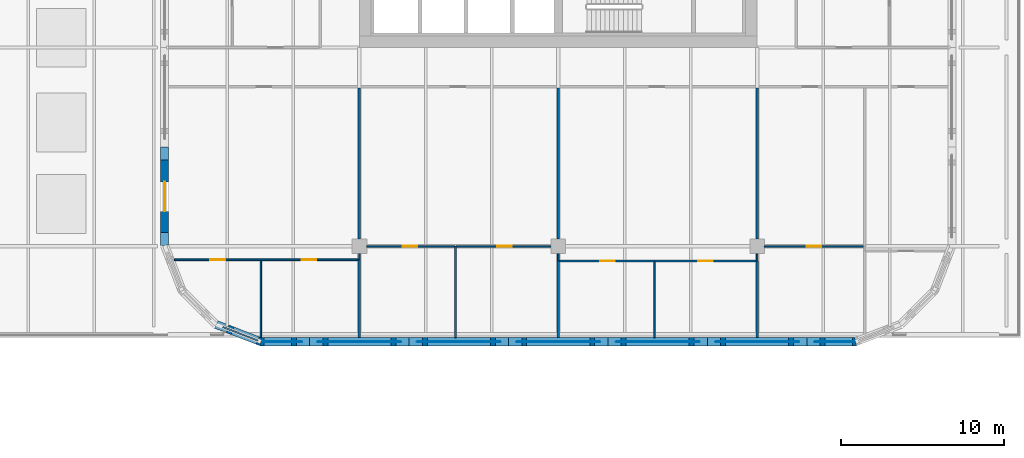
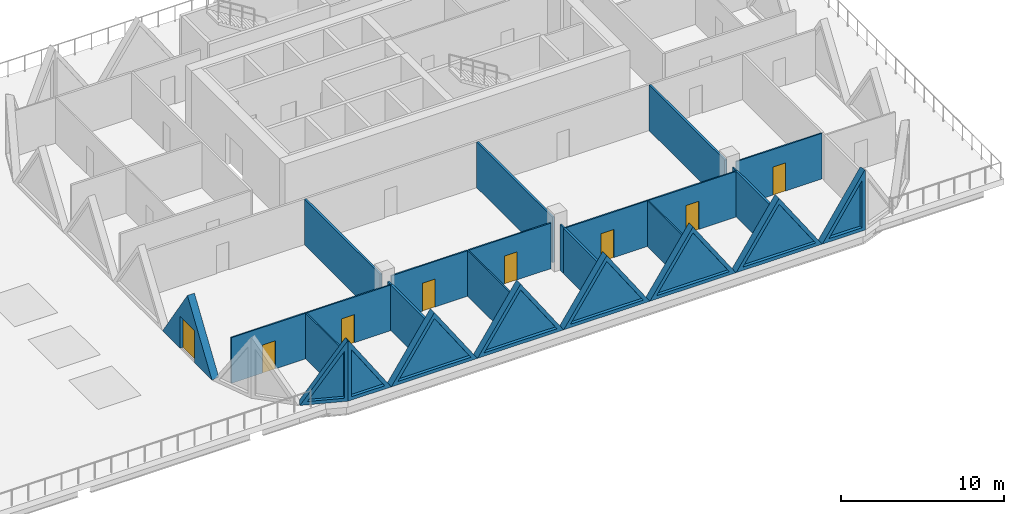
# One storey, part 13 of 21: 26 walls, 8 doors, 8 plates, 16 openings.
"""IFC4 building model written with IfcOpenShell, lengths in metres."""

from ifc_helpers import new_model, si_unit, direction, frame, frame_2d, origin, place, context, subcontext, project, spatial, polyline, rectangle, outline, extrude, faceted_brep, source, transform, mapped, material, layer, layer_set, type_object, element, fill, save


model = new_model("IFC4")

# Units and contexts
model_context = context("Model", 3, precision=1e-05, world=origin(), true_north=direction((0.0, 1.0)))
body_context = subcontext(model_context, "Body", "Model", "MODEL_VIEW")
ifc_project = project(units=[si_unit("LENGTHUNIT", "METRE"), si_unit("AREAUNIT", "SQUARE_METRE"), si_unit("VOLUMEUNIT", "CUBIC_METRE"), si_unit("PLANEANGLEUNIT", "RADIAN"), si_unit("MASSUNIT", "GRAM", prefix="KILO")], contexts=[model_context])

# Site, building, storey
site_placement = place(None, origin())
site = spatial("IfcSite", under=ifc_project, at=site_placement, CompositionType="ELEMENT")
building_placement = place(site_placement, origin())
building = spatial("IfcBuilding", under=site, at=building_placement, Name="Tessera Gate Towers", CompositionType="ELEMENT")
storey_placement = place(building_placement, frame((0.0, 0.0, 16.800048828125)))
storey = spatial("IfcBuildingStorey", under=building, at=storey_placement, Name="L03", CompositionType="ELEMENT", Elevation=16.800048828125)

# Walls
ifc_material_1 = material(Name="Glass", Category="glass")
ifc_layer_1 = layer(ifc_material_1, 0.10009765625)
ifc_layer_set_1 = layer_set([ifc_layer_1], Name="GLAZED PARTITION 100")
wall_type_1 = type_object("IfcWallType", Name="GLAZED PARTITION 100", PredefinedType="PARTITIONING", material=ifc_layer_set_1)
for number, where, z_axis, x_axis, name in (
    (1, (109.800048828125, 23.5009765625, 0.0), (0.0, 0.0, 1.0), (0.0, 1.0, 0.0), "T2-L03-PW-008"),
    (2, (122.0, 23.5009765625, 0.0), (0.0, 0.0, 1.0), (0.0, 1.0, 0.0), "T2-L03-PW-010"),
):
    element("IfcWall", number, at=place(storey_placement, frame(where, z_axis=z_axis, x_axis=x_axis)), inside=storey, type_object=wall_type_1, Name=name, PredefinedType="PARTITIONING", context=body_context, shape_type="SweptSolid", body=[
        extrude(rectangle(XDim=0.447998046875, YDim=0.10009765625, at=frame_2d((0.22412109375, 0.0))), origin(), (0.0, 0.0, 1.0), 3.4150390625),
    ])
wall_1_placement = place(storey_placement, frame((97.60009765625, 23.575927734375, 0.0), z_axis=(0.0, 0.0, 1.0), x_axis=(0.0, 1.0, 0.0)))
element("IfcWall", 3, at=wall_1_placement, inside=storey, type_object=wall_type_1, Name="T2-L03-PW-012", PredefinedType="PARTITIONING", context=body_context, shape_type="SweptSolid", body=[
    extrude(rectangle(XDim=0.373046875, YDim=0.10009765625, at=frame_2d((0.1865234375, 0.0))), origin(), (0.0, 0.0, 1.0), 3.4150390625),
])

# Wall, opening, door
wall_2_placement = place(storey_placement, frame((103.442626953125, 24.39990234375, 0.0), z_axis=(0.0, 0.0, 1.0), x_axis=(-1.0, 0.0, 0.0)))
wall_2 = element("IfcWall", 4, at=wall_2_placement, inside=storey, type_object=wall_type_1, Name="T2-L03-PW-015", PredefinedType="PARTITIONING", context=body_context, shape_type="SweptSolid", body=[
    extrude(rectangle(XDim=5.3916015625, YDim=0.10009765625, at=frame_2d((2.69580078125, 0.0))), origin(), (0.0, 0.0, 1.0), 3.4150390625),
])
shared_shape_1 = source(origin(), body_context, "Body", "SweptSolid", [
    extrude(rectangle(XDim=0.89990234375, YDim=2.10009765625, at=frame_2d((0.449951171875, 1.050048828125))), frame((0.0, 0.06005859375, 0.0), z_axis=(0.0, -1.0, 0.0), x_axis=(1.0, 0.0, 0.0)), (0.0, 0.0, 1.0), 0.1201171875),
])
opening_1_placement = place(wall_2_placement, frame((2.291748046875, 0.0, 0.0)))
opening_1 = element("IfcOpeningElement", 5, at=opening_1_placement, cuts=wall_2, Name="Opening D690-B01-02", PredefinedType="OPENING", context=body_context, shape_type="MappedRepresentation", body=[
    mapped(shared_shape_1, transform((0.0, 0.0, 0.0), scale=1.0)),
])
ifc_material_2 = material(Name="Glass in aluminium frame", Category="aluminium")
door_type_1 = type_object("IfcDoorType", Name="GLAZED DOOR 900 NOT RATED", OperationType="NOTDEFINED", PredefinedType="DOOR", material=ifc_material_2)
shared_shape_2 = source(origin(), body_context, "Body", "SweptSolid", [
    extrude(rectangle(XDim=0.89990234375, YDim=2.10009765625, at=frame_2d((0.449951171875, 1.050048828125))), frame((0.0, 0.02490234375, 0.0), z_axis=(0.0, -1.0, 0.0), x_axis=(1.0, 0.0, 0.0)), (0.0, 0.0, 1.0), 0.050048828125),
])
door_1_placement = place(opening_1_placement, origin())
door_1 = element("IfcDoor", 6, at=door_1_placement, inside=storey, type_object=door_type_1, Name="T2-L03-PD-006", OperationType="SINGLE_SWING_RIGHT", OverallHeight=2.10009765625, OverallWidth=0.89990234375, PredefinedType="DOOR", context=body_context, shape_type="MappedRepresentation", body=[
    mapped(shared_shape_2, transform((0.0, 0.0, 0.0), scale=1.0)),
])
fill(opening_1, door_1)

wall_3_placement = place(storey_placement, frame((109.34912109375, 24.39990234375, 0.0), z_axis=(0.0, 0.0, 1.0), x_axis=(-1.0, 0.0, 0.0)))
wall_3 = element("IfcWall", 7, at=wall_3_placement, inside=storey, type_object=wall_type_1, Name="T2-L03-PW-016", PredefinedType="PARTITIONING", context=body_context, shape_type="SweptSolid", body=[
    extrude(rectangle(XDim=5.804443359375, YDim=0.10009765625, at=frame_2d((2.90234375, 0.0))), origin(), (0.0, 0.0, 1.0), 3.4150390625),
])
opening_2_placement = place(wall_3_placement, frame((2.404296875, 0.0, 0.0)))
opening_2 = element("IfcOpeningElement", 8, at=opening_2_placement, cuts=wall_3, Name="Opening D690-B01-03", PredefinedType="OPENING", context=body_context, shape_type="MappedRepresentation", body=[
    mapped(shared_shape_1, transform((0.0, 0.0, 0.0), scale=1.0)),
])
door_2_placement = place(opening_2_placement, origin())
door_2 = element("IfcDoor", 9, at=door_2_placement, inside=storey, type_object=door_type_1, Name="T2-L03-PD-007", OperationType="SINGLE_SWING_RIGHT", OverallHeight=2.10009765625, OverallWidth=0.89990234375, PredefinedType="DOOR", context=body_context, shape_type="MappedRepresentation", body=[
    mapped(shared_shape_2, transform((0.0, 0.0, 0.0), scale=1.0)),
])
fill(opening_2, door_2)

wall_4_placement = place(storey_placement, frame((128.52392578125, 24.39990234375, 0.0), z_axis=(0.0, 0.0, 1.0), x_axis=(-1.0, 0.0, 0.0)))
wall_4 = element("IfcWall", 10, at=wall_4_placement, inside=storey, type_object=wall_type_1, Name="T2-L03-PW-017", PredefinedType="PARTITIONING", context=body_context, shape_type="SweptSolid", body=[
    extrude(rectangle(XDim=6.072998046875, YDim=0.10009765625, at=frame_2d((3.03662109375, 0.0))), origin(), (0.0, 0.0, 1.0), 3.4150390625),
])
opening_3_placement = place(wall_4_placement, frame((2.572998046875, 0.0, 0.0)))
opening_3 = element("IfcOpeningElement", 11, at=opening_3_placement, cuts=wall_4, Name="Opening D690-B01-06", PredefinedType="OPENING", context=body_context, shape_type="MappedRepresentation", body=[
    mapped(shared_shape_1, transform((0.0, 0.0, 0.0), scale=1.0)),
])
door_3_placement = place(opening_3_placement, origin())
door_3 = element("IfcDoor", 12, at=door_3_placement, inside=storey, type_object=door_type_1, Name="T2-L03-PD-012", OperationType="SINGLE_SWING_RIGHT", OverallHeight=2.10009765625, OverallWidth=0.89990234375, PredefinedType="DOOR", context=body_context, shape_type="MappedRepresentation", body=[
    mapped(shared_shape_2, transform((0.0, 0.0, 0.0), scale=1.0)),
])
fill(opening_3, door_3)

# Walls
ifc_material_3 = material(Name="Gypsum board on steel studs", Category="steel")
ifc_layer_2 = layer(ifc_material_3, 0.10009765625)
ifc_layer_set_2 = layer_set([ifc_layer_2], Name="PARTITION 100")
wall_type_2 = type_object("IfcWallType", Name="PARTITION 100", PredefinedType="PARTITIONING", material=ifc_layer_set_2)
wall_5_placement = place(storey_placement, frame((103.493896484375, 18.800048828125, 0.0), z_axis=(0.0, 0.0, 1.0), x_axis=(0.0, 1.0, 0.0)))
element("IfcWall", 13, at=wall_5_placement, inside=storey, type_object=wall_type_2, Name="T2-L03-PW-002", PredefinedType="PARTITIONING", context=body_context, shape_type="SweptSolid", body=[
    extrude(rectangle(XDim=5.599853515625, YDim=0.10009765625, at=frame_2d((2.7998046875, 0.0))), origin(), (0.0, 0.0, 1.0), 3.4150390625),
])
wall_6_placement = place(storey_placement, frame((115.694091796875, 18.800048828125, 0.0), z_axis=(0.0, 0.0, 1.0), x_axis=(0.0, 1.0, 0.0)))
element("IfcWall", 14, at=wall_6_placement, inside=storey, type_object=wall_type_2, Name="T2-L03-PW-004", PredefinedType="PARTITIONING", context=body_context, shape_type="SweptSolid", body=[
    extrude(rectangle(XDim=4.64892578125, YDim=0.10009765625, at=frame_2d((2.324462890625, 0.0))), origin(), (0.0, 0.0, 1.0), 3.4150390625),
])
wall_7_placement = place(storey_placement, frame((91.552001953125, 18.81591796875, 0.0), z_axis=(0.0, 0.0, 1.0), x_axis=(0.0, 1.0, 0.0)))
element("IfcWall", 15, at=wall_7_placement, inside=storey, type_object=wall_type_2, Name="T2-L03-PW-006", PredefinedType="PARTITIONING", context=body_context, shape_type="SweptSolid", body=[
    extrude(rectangle(XDim=4.7080078125, YDim=0.10009765625, at=frame_2d((2.35400390625, 0.0))), origin(), (0.0, 0.0, 1.0), 3.4150390625),
])

# Wall, openings, doors
wall_8_placement = place(storey_placement, frame((121.924072265625, 23.5, 0.0), z_axis=(0.0, 0.0, 1.0), x_axis=(-1.0, 0.0, 0.0)))
wall_8 = element("IfcWall", 16, at=wall_8_placement, inside=storey, type_object=wall_type_2, Name="T2-L03-PW-009", PredefinedType="PARTITIONING", context=body_context, shape_type="SweptSolid", body=[
    extrude(rectangle(XDim=12.048095703125, YDim=0.10009765625, at=frame_2d((6.02392578125, 0.0))), origin(), (0.0, 0.0, 1.0), 3.4150390625),
])
opening_4_placement = place(wall_8_placement, frame((8.64794921875, 0.0, 0.0)))
opening_4 = element("IfcOpeningElement", 17, at=opening_4_placement, cuts=wall_8, Name="Opening D190-B01-03", PredefinedType="OPENING", context=body_context, shape_type="MappedRepresentation", body=[
    mapped(shared_shape_1, transform((0.0, 0.0, 0.0), scale=1.0)),
])
opening_5_placement = place(wall_8_placement, frame((2.63037109375, 0.0, 0.0)))
opening_5 = element("IfcOpeningElement", 18, at=opening_5_placement, cuts=wall_8, Name="Opening D190-B01-05", PredefinedType="OPENING", context=body_context, shape_type="MappedRepresentation", body=[
    mapped(shared_shape_1, transform((0.0, 0.0, 0.0), scale=1.0)),
])
ifc_material_4 = material(Name="Timber door leaf in steel frame", Category="steel")
door_type_2 = type_object("IfcDoorType", Name="INTERNAL DOOR 900 NOT RATED", OperationType="NOTDEFINED", PredefinedType="DOOR", material=ifc_material_4)
door_4_placement = place(opening_4_placement, origin())
door_4 = element("IfcDoor", 19, at=door_4_placement, inside=storey, type_object=door_type_2, Name="T2-L03-PD-008", OperationType="SINGLE_SWING_RIGHT", OverallHeight=2.10009765625, OverallWidth=0.89990234375, PredefinedType="DOOR", context=body_context, shape_type="MappedRepresentation", body=[
    mapped(shared_shape_2, transform((0.0, 0.0, 0.0), scale=1.0)),
])
fill(opening_4, door_4)
door_5_placement = place(opening_5_placement, origin())
door_5 = element("IfcDoor", 20, at=door_5_placement, inside=storey, type_object=door_type_2, Name="T2-L03-PD-013", OperationType="SINGLE_SWING_RIGHT", OverallHeight=2.10009765625, OverallWidth=0.89990234375, PredefinedType="DOOR", context=body_context, shape_type="MappedRepresentation", body=[
    mapped(shared_shape_2, transform((0.0, 0.0, 0.0), scale=1.0)),
])
fill(opening_5, door_5)

wall_9_placement = place(storey_placement, frame((97.52392578125, 23.574951171875, 0.0), z_axis=(0.0, 0.0, 1.0), x_axis=(-1.0, 0.0, 0.0)))
wall_9 = element("IfcWall", 21, at=wall_9_placement, inside=storey, type_object=wall_type_2, Name="T2-L03-PW-011", PredefinedType="PARTITIONING", context=body_context, shape_type="SweptSolid", body=[
    extrude(rectangle(XDim=11.269775390625, YDim=0.10009765625, at=frame_2d((5.634765625, 0.0))), origin(), (0.0, 0.0, 1.0), 3.4150390625),
])
opening_6_placement = place(wall_9_placement, frame((8.169921875, 0.0, 0.0)))
opening_6 = element("IfcOpeningElement", 22, at=opening_6_placement, cuts=wall_9, Name="Opening D190-B01-02", PredefinedType="OPENING", context=body_context, shape_type="MappedRepresentation", body=[
    mapped(shared_shape_1, transform((0.0, 0.0, 0.0), scale=1.0)),
])
opening_7_placement = place(wall_9_placement, frame((2.57177734375, 0.0, 0.0)))
opening_7 = element("IfcOpeningElement", 23, at=opening_7_placement, cuts=wall_9, Name="Opening D190-B01-04", PredefinedType="OPENING", context=body_context, shape_type="MappedRepresentation", body=[
    mapped(shared_shape_1, transform((0.0, 0.0, 0.0), scale=1.0)),
])
door_6_placement = place(opening_6_placement, origin())
door_6 = element("IfcDoor", 24, at=door_6_placement, inside=storey, type_object=door_type_2, Name="T2-L03-PD-005", OperationType="SINGLE_SWING_RIGHT", OverallHeight=2.10009765625, OverallWidth=0.89990234375, PredefinedType="DOOR", context=body_context, shape_type="MappedRepresentation", body=[
    mapped(shared_shape_2, transform((0.0, 0.0, 0.0), scale=1.0)),
])
fill(opening_6, door_6)
door_7_placement = place(opening_7_placement, origin())
door_7 = element("IfcDoor", 25, at=door_7_placement, inside=storey, type_object=door_type_2, Name="T2-L03-PD-011", OperationType="SINGLE_SWING_RIGHT", OverallHeight=2.10009765625, OverallWidth=0.89990234375, PredefinedType="DOOR", context=body_context, shape_type="MappedRepresentation", body=[
    mapped(shared_shape_2, transform((0.0, 0.0, 0.0), scale=1.0)),
])
fill(opening_7, door_7)

# Walls
ifc_material_5 = material(Name="Gypsum board on steel studs, mineral wool", Category="steel")
ifc_layer_3 = layer(ifc_material_5, 0.14990234375)
ifc_layer_set_3 = layer_set([ifc_layer_3], Name="TENANCY WALL 150")
wall_type_3 = type_object("IfcWallType", Name="TENANCY WALL 150", PredefinedType="PARTITIONING", material=ifc_layer_set_3)
wall_10_placement = place(storey_placement, frame((97.60009765625, 18.800048828125, 0.0), z_axis=(0.0, 0.0, 1.0), x_axis=(0.0, 1.0, 0.0)))
element("IfcWall", 26, at=wall_10_placement, inside=storey, type_object=wall_type_3, Name="T2-L03-PW-001", PredefinedType="PARTITIONING", context=body_context, shape_type="SweptSolid", body=[
    extrude(rectangle(XDim=4.77490234375, YDim=0.14990234375, at=frame_2d((2.387451171875, 0.0))), origin(), (0.0, 0.0, 1.0), 3.4150390625),
])
for number, where, z_axis, x_axis, name in (
    (27, (109.800048828125, 18.800048828125, 0.0), (0.0, 0.0, 1.0), (0.0, 1.0, 0.0), "T2-L03-PW-003"),
    (28, (122.0, 18.800048828125, 0.0), (0.0, 0.0, 1.0), (0.0, 1.0, 0.0), "T2-L03-PW-005"),
):
    element("IfcWall", number, at=place(storey_placement, frame(where, z_axis=z_axis, x_axis=x_axis)), inside=storey, type_object=wall_type_3, Name=name, PredefinedType="PARTITIONING", context=body_context, shape_type="SweptSolid", body=[
        extrude(rectangle(XDim=4.699951171875, YDim=0.14990234375, at=frame_2d((2.35009765625, 0.0))), origin(), (0.0, 0.0, 1.0), 3.4150390625),
    ])
for number, where, z_axis, x_axis, name in (
    (29, (97.60009765625, 24.85107421875, 0.0), (0.0, 0.0, 1.0), (0.0, 1.0, 0.0), "T2-L03-PW-019"),
    (30, (109.800048828125, 24.85107421875, 0.0), (0.0, 0.0, 1.0), (0.0, 1.0, 0.0), "T2-L03-PW-020"),
    (31, (122.0, 24.85107421875, 0.0), (0.0, 0.0, 1.0), (0.0, 1.0, 0.0), "T2-L03-PW-021"),
):
    element("IfcWall", number, at=place(storey_placement, frame(where, z_axis=z_axis, x_axis=x_axis)), inside=storey, type_object=wall_type_3, Name=name, PredefinedType="PARTITIONING", context=body_context, shape_type="SweptSolid", body=[
        extrude(rectangle(XDim=9.27294921875, YDim=0.14990234375, at=frame_2d((4.636474609375, 0.0))), origin(), (0.0, 0.0, 1.0), 3.4150390625),
    ])

# Wall, opening, plate
ifc_material_6 = material(Name="Precast concrete C60/75 white", Category="concrete")
ifc_layer_4 = layer(ifc_material_6, 0.5)
ifc_layer_set_4 = layer_set([ifc_layer_4], Name="TS3 corner tessera")
wall_type_4 = type_object("IfcWallType", Name="TS3 corner tessera", PredefinedType="SOLIDWALL", material=ifc_layer_set_4)
shared_shape_3 = source(origin(), body_context, "Body", "Brep", [
    faceted_brep([(3.050048828125, -0.25, 0.0), (0.046630859375, -0.25, 4.5), (0.0, -0.25, 4.428955078125), (0.0, -0.25, 0.0), (0.09326171875, 0.25, 4.43017578125), (3.050048828125, 0.25, 0.0), (0.09326171875, 0.25, 0.0), (0.046630859375, 0.0, 4.5)], [[[0, 1, 2, 3]], [[4, 5, 6]], [[5, 4, 7, 1, 0]], [[2, 1, 7]], [[6, 5, 0, 3]], [[6, 3, 2, 7, 4]]]),
])
wall_11_placement = place(storey_placement, frame((91.5, 18.550048828125, 0.0), z_axis=(0.0, 0.0, 1.0), x_axis=(1.0, 0.0, 0.0)))
wall_11 = element("IfcWall", 32, at=wall_11_placement, inside=storey, type_object=wall_type_4, Name="Precast corner tessera T2 TS3-0001", PredefinedType="SOLIDWALL", context=body_context, shape_type="MappedRepresentation", body=[
    mapped(shared_shape_3, transform((0.0, 0.0, 0.0), scale=1.0)),
])
shared_shape_4 = source(origin(), body_context, "Body", "SweptSolid", [
    extrude(outline(polyline([(2.582763671875, 0.25), (0.24658203125, 3.75), (0.24658203125, 0.25), (2.582763671875, 0.25)])), frame((0.0, 0.260009765625, 0.0), z_axis=(0.0, -1.0, 0.0), x_axis=(1.0, 0.0, 0.0)), (0.0, 0.0, 1.0), 0.52001953125),
])
opening_8_placement = place(wall_11_placement, origin())
opening_8 = element("IfcOpeningElement", 33, at=opening_8_placement, cuts=wall_11, Name="Opening T2-PL1-0001", PredefinedType="OPENING", context=body_context, shape_type="MappedRepresentation", body=[
    mapped(shared_shape_4, transform((0.0, 0.0, 0.0), scale=1.0)),
])
ifc_material_7 = material(Name="Low-e laminated glass", Category="glass")
ifc_layer_5 = layer(ifc_material_7, 0.06005859375)
ifc_layer_set_5 = layer_set([ifc_layer_5], Name="PL1 triangular pane")
plate_type = type_object("IfcPlateType", Name="PL1 triangular pane", PredefinedType="SHEET", material=ifc_layer_set_5)
shared_shape_5 = source(origin(), body_context, "Body", "SweptSolid", [
    extrude(outline(polyline([(2.582763671875, 0.25), (0.24658203125, 3.75), (0.24658203125, 0.25), (2.582763671875, 0.25)])), frame((0.0, 0.030029296875, 0.0), z_axis=(0.0, -1.0, 0.0), x_axis=(1.0, 0.0, 0.0)), (0.0, 0.0, 1.0), 0.06005859375),
])
plate_1_placement = place(opening_8_placement, origin())
plate_1 = element("IfcPlate", 34, at=plate_1_placement, inside=storey, type_object=plate_type, Name="Glass pane T2 PL1-0001", PredefinedType="SHEET", context=body_context, shape_type="MappedRepresentation", body=[
    mapped(shared_shape_5, transform((0.0, 0.0, 0.0), scale=1.0)),
])
fill(opening_8, plate_1)

shared_shape_6 = source(origin(), body_context, "Body", "Brep", [
    faceted_brep([(2.9970703125, -0.25, 4.43017578125), (2.950439453125, -0.25, 4.5), (0.0, -0.25, 0.0), (2.9970703125, -0.25, 0.0), (0.052978515625, 0.25, 0.080810546875), (2.904052734375, 0.25, 4.42919921875), (2.904052734375, 0.25, 0.0), (0.052978515625, 0.25, 0.0), (2.950439453125, 0.00048828125, 4.5), (0.0, 0.0, 0.0)], [[[0, 1, 2, 3]], [[4, 5, 6, 7]], [[8, 1, 0]], [[5, 4, 9, 2, 1, 8]], [[7, 6, 3, 2, 9]], [[7, 9, 4]], [[3, 6, 5, 8, 0]]]),
])
wall_12_placement = place(storey_placement, frame((88.793701171875, 19.61181640625, 0.0), z_axis=(0.0, 0.0, 1.0), x_axis=(0.933000876937, -0.359874094142, 0.0)))
wall_12 = element("IfcWall", 35, at=wall_12_placement, inside=storey, type_object=wall_type_4, Name="Precast corner tessera T2 TS3-0002", PredefinedType="SOLIDWALL", context=body_context, shape_type="MappedRepresentation", body=[
    mapped(shared_shape_6, transform((0.0, 0.0, 0.0), scale=1.0)),
])
shared_shape_7 = source(origin(), body_context, "Body", "SweptSolid", [
    extrude(outline(polyline([(2.75048828125, 3.739013671875), (0.462890625, 0.25), (2.75048828125, 0.25), (2.75048828125, 3.739013671875)])), frame((0.0, 0.260009765625, 0.0), z_axis=(0.0, -1.0, 0.0), x_axis=(1.0, 0.0, 0.0)), (0.0, 0.0, 1.0), 0.52001953125),
])
opening_9_placement = place(wall_12_placement, origin())
opening_9 = element("IfcOpeningElement", 36, at=opening_9_placement, cuts=wall_12, Name="Opening T2-PL1-0002", PredefinedType="OPENING", context=body_context, shape_type="MappedRepresentation", body=[
    mapped(shared_shape_7, transform((0.0, 0.0, 0.0), scale=1.0)),
])
shared_shape_8 = source(origin(), body_context, "Body", "SweptSolid", [
    extrude(outline(polyline([(2.75048828125, 3.739013671875), (0.462890625, 0.25), (2.75048828125, 0.25), (2.75048828125, 3.739013671875)])), frame((0.0, 0.030029296875, 0.0), z_axis=(0.0, -1.0, 0.0), x_axis=(1.0, 0.0, 0.0)), (0.0, 0.0, 1.0), 0.06005859375),
])
plate_2_placement = place(opening_9_placement, origin())
plate_2 = element("IfcPlate", 37, at=plate_2_placement, inside=storey, type_object=plate_type, Name="Glass pane T2 PL1-0002", PredefinedType="SHEET", context=body_context, shape_type="MappedRepresentation", body=[
    mapped(shared_shape_8, transform((0.0, 0.0, 0.0), scale=1.0)),
])
fill(opening_9, plate_2)

ifc_material_8 = material(Name="Precast concrete C60/75 white", Category="concrete")
ifc_layer_6 = layer(ifc_material_8, 0.5)
ifc_layer_set_6 = layer_set([ifc_layer_6], Name="TS2 half tessera")
wall_type_5 = type_object("IfcWallType", Name="TS2 half tessera", PredefinedType="SOLIDWALL", material=ifc_layer_set_6)
shared_shape_9 = source(origin(), body_context, "Body", "Brep", [
    faceted_brep([(6.099853515625, -0.25, 0.000244140625), (3.050048828125, -0.25, 4.5), (0.0, -0.25, 0.0), (6.099853515625, -0.25, 0.0), (0.0, 0.25, 0.0), (3.050048828125, 0.25, 4.5), (6.099853515625, 0.25, 0.000244140625), (6.099853515625, 0.25, 0.0)], [[[0, 1, 2, 3]], [[4, 5, 6, 7]], [[6, 5, 1, 0]], [[5, 4, 2, 1]], [[4, 7, 3, 2]], [[3, 7, 6, 0]]]),
])
wall_13_placement = place(storey_placement, frame((94.550048828125, 18.550048828125, 0.0), z_axis=(0.0, 0.0, 1.0), x_axis=(1.0, 0.0, 0.0)))
wall_13 = element("IfcWall", 38, at=wall_13_placement, inside=storey, type_object=wall_type_5, Name="Precast half tessera T2 TS2-0001", PredefinedType="SOLIDWALL", context=body_context, shape_type="MappedRepresentation", body=[
    mapped(shared_shape_9, transform((0.0, 0.0, 0.0), scale=1.0)),
])
shared_shape_10 = source(origin(), body_context, "Body", "SweptSolid", [
    extrude(outline(polyline([(5.628662109375, 0.25), (3.050048828125, 4.054443359375), (0.471435546875, 0.25), (5.628662109375, 0.25)])), frame((0.0, 0.260009765625, 0.0), z_axis=(0.0, -1.0, 0.0), x_axis=(1.0, 0.0, 0.0)), (0.0, 0.0, 1.0), 0.52001953125),
])
opening_10_placement = place(wall_13_placement, origin())
opening_10 = element("IfcOpeningElement", 39, at=opening_10_placement, cuts=wall_13, Name="Opening T2-PL1-0003", PredefinedType="OPENING", context=body_context, shape_type="MappedRepresentation", body=[
    mapped(shared_shape_10, transform((0.0, 0.0, 0.0), scale=1.0)),
])
shared_shape_11 = source(origin(), body_context, "Body", "SweptSolid", [
    extrude(outline(polyline([(5.628662109375, 0.25), (3.050048828125, 4.054443359375), (0.471435546875, 0.25), (5.628662109375, 0.25)])), frame((0.0, 0.030029296875, 0.0), z_axis=(0.0, -1.0, 0.0), x_axis=(1.0, 0.0, 0.0)), (0.0, 0.0, 1.0), 0.06005859375),
])
plate_3_placement = place(opening_10_placement, origin())
plate_3 = element("IfcPlate", 40, at=plate_3_placement, inside=storey, type_object=plate_type, Name="Glass pane T2 PL1-0003", PredefinedType="SHEET", context=body_context, shape_type="MappedRepresentation", body=[
    mapped(shared_shape_11, transform((0.0, 0.0, 0.0), scale=1.0)),
])
fill(opening_10, plate_3)

wall_14_placement = place(storey_placement, frame((112.85009765625, 18.550048828125, 0.0), z_axis=(0.0, 0.0, 1.0), x_axis=(1.0, 0.0, 0.0)))
wall_14 = element("IfcWall", 41, at=wall_14_placement, inside=storey, type_object=wall_type_5, Name="Precast half tessera T2 TS2-0004", PredefinedType="SOLIDWALL", context=body_context, shape_type="MappedRepresentation", body=[
    mapped(shared_shape_9, transform((0.0, 0.0, 0.0), scale=1.0)),
])
opening_11_placement = place(wall_14_placement, origin())
opening_11 = element("IfcOpeningElement", 42, at=opening_11_placement, cuts=wall_14, Name="Opening T2-PL1-0006", PredefinedType="OPENING", context=body_context, shape_type="MappedRepresentation", body=[
    mapped(shared_shape_10, transform((0.0, 0.0, 0.0), scale=1.0)),
])
plate_4_placement = place(opening_11_placement, origin())
plate_4 = element("IfcPlate", 43, at=plate_4_placement, inside=storey, type_object=plate_type, Name="Glass pane T2 PL1-0006", PredefinedType="SHEET", context=body_context, shape_type="MappedRepresentation", body=[
    mapped(shared_shape_11, transform((0.0, 0.0, 0.0), scale=1.0)),
])
fill(opening_11, plate_4)

shared_shape_12 = source(origin(), body_context, "Body", "SweptSolid", [
    extrude(outline(polyline([(6.10009765625, 0.0), (3.050048828125, 4.5), (0.0, 0.0), (6.10009765625, 0.0)])), frame((0.0, 0.25, 0.0), z_axis=(0.0, -1.0, 0.0), x_axis=(1.0, 0.0, 0.0)), (0.0, 0.0, 1.0), 0.5),
])
wall_15_placement = place(storey_placement, frame((100.64990234375, 18.550048828125, 0.0), z_axis=(0.0, 0.0, 1.0), x_axis=(1.0, 0.0, 0.0)))
wall_15 = element("IfcWall", 44, at=wall_15_placement, inside=storey, type_object=wall_type_5, Name="Precast half tessera T2 TS2-0002", PredefinedType="SOLIDWALL", context=body_context, shape_type="MappedRepresentation", body=[
    mapped(shared_shape_12, transform((0.0, 0.0, 0.0), scale=1.0)),
])
opening_12_placement = place(wall_15_placement, origin())
opening_12 = element("IfcOpeningElement", 45, at=opening_12_placement, cuts=wall_15, Name="Opening T2-PL1-0004", PredefinedType="OPENING", context=body_context, shape_type="MappedRepresentation", body=[
    mapped(shared_shape_10, transform((0.0, 0.0, 0.0), scale=1.0)),
])
plate_5_placement = place(opening_12_placement, origin())
plate_5 = element("IfcPlate", 46, at=plate_5_placement, inside=storey, type_object=plate_type, Name="Glass pane T2 PL1-0004", PredefinedType="SHEET", context=body_context, shape_type="MappedRepresentation", body=[
    mapped(shared_shape_11, transform((0.0, 0.0, 0.0), scale=1.0)),
])
fill(opening_12, plate_5)

wall_16_placement = place(storey_placement, frame((106.75, 18.550048828125, 0.0), z_axis=(0.0, 0.0, 1.0), x_axis=(1.0, 0.0, 0.0)))
wall_16 = element("IfcWall", 47, at=wall_16_placement, inside=storey, type_object=wall_type_5, Name="Precast half tessera T2 TS2-0003", PredefinedType="SOLIDWALL", context=body_context, shape_type="MappedRepresentation", body=[
    mapped(shared_shape_12, transform((0.0, 0.0, 0.0), scale=1.0)),
])
opening_13_placement = place(wall_16_placement, origin())
opening_13 = element("IfcOpeningElement", 48, at=opening_13_placement, cuts=wall_16, Name="Opening T2-PL1-0005", PredefinedType="OPENING", context=body_context, shape_type="MappedRepresentation", body=[
    mapped(shared_shape_10, transform((0.0, 0.0, 0.0), scale=1.0)),
])
plate_6_placement = place(opening_13_placement, origin())
plate_6 = element("IfcPlate", 49, at=plate_6_placement, inside=storey, type_object=plate_type, Name="Glass pane T2 PL1-0005", PredefinedType="SHEET", context=body_context, shape_type="MappedRepresentation", body=[
    mapped(shared_shape_11, transform((0.0, 0.0, 0.0), scale=1.0)),
])
fill(opening_13, plate_6)

wall_17_placement = place(storey_placement, frame((118.949951171875, 18.550048828125, 0.0), z_axis=(0.0, 0.0, 1.0), x_axis=(1.0, 0.0, 0.0)))
wall_17 = element("IfcWall", 50, at=wall_17_placement, inside=storey, type_object=wall_type_5, Name="Precast half tessera T2 TS2-0005", PredefinedType="SOLIDWALL", context=body_context, shape_type="MappedRepresentation", body=[
    mapped(shared_shape_12, transform((0.0, 0.0, 0.0), scale=1.0)),
])
opening_14_placement = place(wall_17_placement, origin())
opening_14 = element("IfcOpeningElement", 51, at=opening_14_placement, cuts=wall_17, Name="Opening T2-PL1-0007", PredefinedType="OPENING", context=body_context, shape_type="MappedRepresentation", body=[
    mapped(shared_shape_10, transform((0.0, 0.0, 0.0), scale=1.0)),
])
plate_7_placement = place(opening_14_placement, origin())
plate_7 = element("IfcPlate", 52, at=plate_7_placement, inside=storey, type_object=plate_type, Name="Glass pane T2 PL1-0007", PredefinedType="SHEET", context=body_context, shape_type="MappedRepresentation", body=[
    mapped(shared_shape_11, transform((0.0, 0.0, 0.0), scale=1.0)),
])
fill(opening_14, plate_7)

shared_shape_13 = source(origin(), body_context, "Body", "Brep", [
    faceted_brep([(3.050048828125, -0.25, 4.428955078125), (3.00341796875, -0.25, 4.5), (0.0, -0.25, 0.0), (3.050048828125, -0.25, 0.0), (0.0, 0.25, 0.0), (2.956787109375, 0.25, 4.430419921875), (2.956787109375, 0.25, 0.0), (3.00341796875, 0.000244140625, 4.5)], [[[0, 1, 2, 3]], [[4, 5, 6]], [[7, 1, 0]], [[5, 4, 2, 1, 7]], [[4, 6, 3, 2]], [[3, 6, 5, 7, 0]]]),
])
wall_18_placement = place(storey_placement, frame((125.050048828125, 18.550048828125, 0.0), z_axis=(0.0, 0.0, 1.0), x_axis=(1.0, 0.0, 0.0)))
wall_18 = element("IfcWall", 53, at=wall_18_placement, inside=storey, type_object=wall_type_4, Name="Precast corner tessera T2 TS3-0003", PredefinedType="SOLIDWALL", context=body_context, shape_type="MappedRepresentation", body=[
    mapped(shared_shape_13, transform((0.0, 0.0, 0.0), scale=1.0)),
])
shared_shape_14 = source(origin(), body_context, "Body", "SweptSolid", [
    extrude(outline(polyline([(2.803466796875, 3.75), (0.467529296875, 0.25), (2.803466796875, 0.25), (2.803466796875, 3.75)])), frame((0.0, 0.260009765625, 0.0), z_axis=(0.0, -1.0, 0.0), x_axis=(1.0, 0.0, 0.0)), (0.0, 0.0, 1.0), 0.52001953125),
])
opening_15_placement = place(wall_18_placement, origin())
opening_15 = element("IfcOpeningElement", 54, at=opening_15_placement, cuts=wall_18, Name="Opening T2-PL1-0008", PredefinedType="OPENING", context=body_context, shape_type="MappedRepresentation", body=[
    mapped(shared_shape_14, transform((0.0, 0.0, 0.0), scale=1.0)),
])
shared_shape_15 = source(origin(), body_context, "Body", "SweptSolid", [
    extrude(outline(polyline([(2.803466796875, 3.75), (0.467529296875, 0.25), (2.803466796875, 0.25), (2.803466796875, 3.75)])), frame((0.0, 0.030029296875, 0.0), z_axis=(0.0, -1.0, 0.0), x_axis=(1.0, 0.0, 0.0)), (0.0, 0.0, 1.0), 0.06005859375),
])
plate_8_placement = place(opening_15_placement, origin())
plate_8 = element("IfcPlate", 55, at=plate_8_placement, inside=storey, type_object=plate_type, Name="Glass pane T2 PL1-0008", PredefinedType="SHEET", context=body_context, shape_type="MappedRepresentation", body=[
    mapped(shared_shape_15, transform((0.0, 0.0, 0.0), scale=1.0)),
])
fill(opening_15, plate_8)

# Wall, opening, door
ifc_material_9 = material(Name="Precast concrete C60/75 white", Category="concrete")
ifc_layer_7 = layer(ifc_material_9, 0.5)
ifc_layer_set_7 = layer_set([ifc_layer_7], Name="TS4 bridge door tessera")
wall_type_6 = type_object("IfcWallType", Name="TS4 bridge door tessera", PredefinedType="SOLIDWALL", material=ifc_layer_set_7)
shared_shape_16 = source(origin(), body_context, "Body", "Brep", [
    faceted_brep([(6.053466796875, -0.25, 0.0), (3.050048828125, -0.25, 4.5), (0.0, -0.25, 0.0), (0.0, 0.25, 0.0), (3.050048828125, 0.25, 4.5), (6.0068359375, 0.25, 0.06982421875), (6.0068359375, 0.25, 0.0), (6.053466796875, 0.0, 0.0)], [[[0, 1, 2]], [[3, 4, 5, 6]], [[5, 4, 1, 0, 7]], [[4, 3, 2, 1]], [[3, 6, 7, 0, 2]], [[7, 6, 5]]]),
])
wall_19_placement = place(storey_placement, frame((85.64990234375, 30.5, 0.0), z_axis=(0.0, 0.0, 1.0), x_axis=(0.0, -1.0, 0.0)))
wall_19 = element("IfcWall", 56, at=wall_19_placement, inside=storey, type_object=wall_type_6, Name="Precast bridge door tessera T2 TS4-0001", PredefinedType="SOLIDWALL", context=body_context, shape_type="MappedRepresentation", body=[
    mapped(shared_shape_16, transform((0.0, 0.0, 0.0), scale=1.0)),
])
shared_shape_17 = source(origin(), body_context, "Body", "SweptSolid", [
    extrude(rectangle(XDim=1.800048828125, YDim=2.39990234375, at=frame_2d((0.89990234375, 1.199951171875))), frame((0.0, 0.260009765625, 0.0), z_axis=(0.0, -1.0, 0.0), x_axis=(1.0, 0.0, 0.0)), (0.0, 0.0, 1.0), 0.52001953125),
])
opening_16_placement = place(wall_19_placement, frame((2.14990234375, 0.0, 0.0)))
opening_16 = element("IfcOpeningElement", 57, at=opening_16_placement, cuts=wall_19, Name="Opening D-E203", PredefinedType="OPENING", context=body_context, shape_type="MappedRepresentation", body=[
    mapped(shared_shape_17, transform((0.0, 0.0, 0.0), scale=1.0)),
])
ifc_material_10 = material(Name="Steel and glass fire door", Category="steel")
ifc_layer_8 = layer(ifc_material_10, 0.06005859375)
ifc_layer_set_8 = layer_set([ifc_layer_8], Name="DL5 tessera fire door")
door_type_3 = type_object("IfcDoorType", Name="DL5 tessera fire door", OperationType="DOUBLE_DOOR_SINGLE_SWING", PredefinedType="DOOR", material=ifc_layer_set_8)
shared_shape_18 = source(origin(), body_context, "Body", "SweptSolid", [
    extrude(rectangle(XDim=1.800048828125, YDim=2.39990234375, at=frame_2d((0.89990234375, 1.199951171875))), frame((0.0, 0.030029296875, 0.0), z_axis=(0.0, -1.0, 0.0), x_axis=(1.0, 0.0, 0.0)), (0.0, 0.0, 1.0), 0.06005859375),
])
door_8_placement = place(opening_16_placement, origin())
door_8 = element("IfcDoor", 58, at=door_8_placement, inside=storey, type_object=door_type_3, Name="Roof terrace door D-E203", OperationType="DOUBLE_DOOR_SINGLE_SWING", OverallHeight=2.39990234375, OverallWidth=1.800048828125, PredefinedType="DOOR", context=body_context, shape_type="MappedRepresentation", body=[
    mapped(shared_shape_18, transform((0.0, 0.0, 0.0), scale=1.0)),
])
fill(opening_16, door_8)

save(model, "model.ifc")
